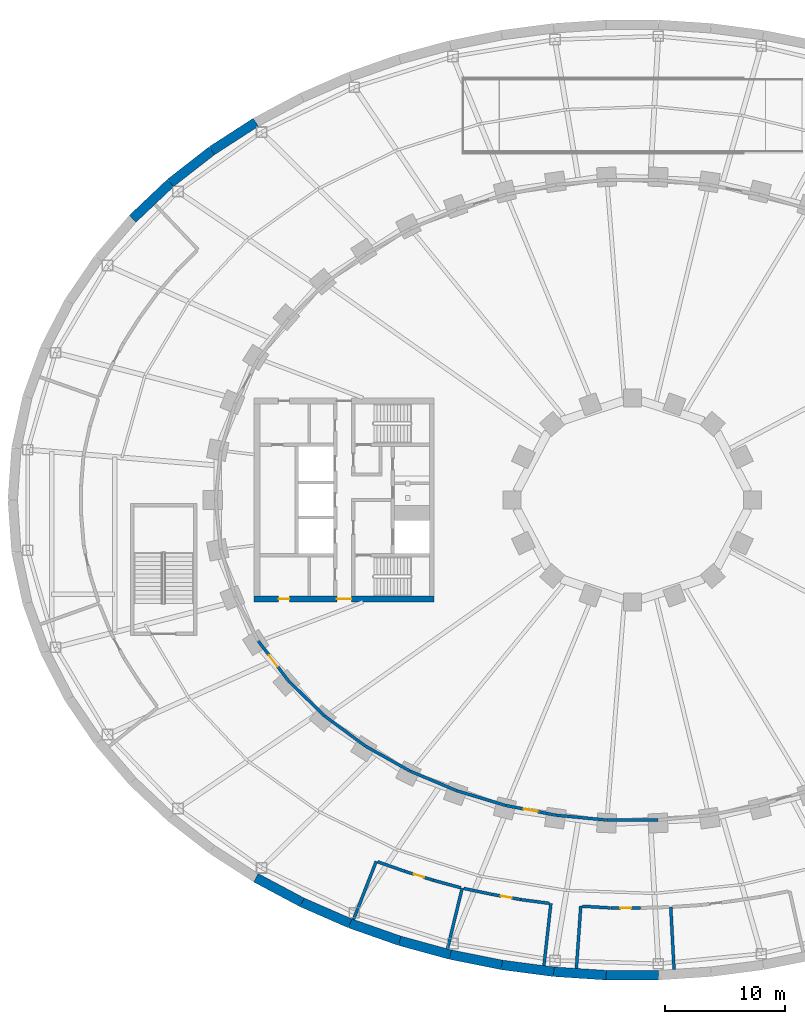
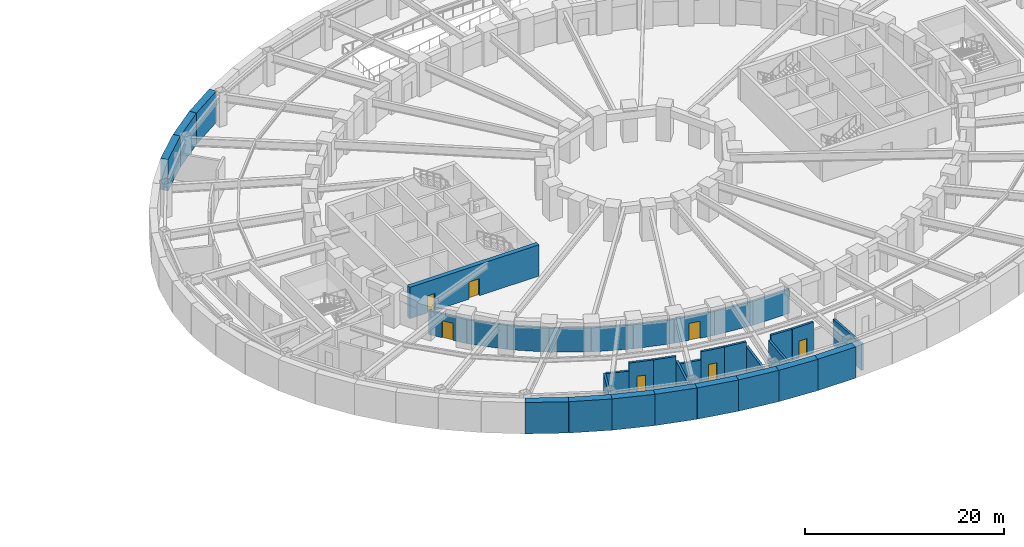
# One storey, part 17 of 32: 34 walls, 7 doors, 7 openings.
"""IFC4 building model written with IfcOpenShell, lengths in metres."""

from ifc_helpers import new_model, si_unit, direction, frame, frame_2d, origin, place, context, subcontext, project, spatial, rectangle, extrude, material, layer, layer_set, type_object, element, fill, save


model = new_model("IFC4")

# Units and contexts
model_context = context("Model", 3, precision=1e-05, world=origin(), true_north=direction((0.0, 1.0)))
body_context = subcontext(model_context, "Body", "Model", "MODEL_VIEW")
ifc_project = project(units=[si_unit("LENGTHUNIT", "METRE"), si_unit("AREAUNIT", "SQUARE_METRE"), si_unit("VOLUMEUNIT", "CUBIC_METRE"), si_unit("PLANEANGLEUNIT", "RADIAN"), si_unit("MASSUNIT", "GRAM", prefix="KILO")], contexts=[model_context])

# Site, building, storey
site_placement = place(None, origin())
site = spatial("IfcSite", under=ifc_project, at=site_placement, CompositionType="ELEMENT")
building_placement = place(site_placement, origin())
building = spatial("IfcBuilding", under=site, at=building_placement, Name="Noorbagh Ring Tower", CompositionType="ELEMENT")
storey_placement = place(building_placement, frame((0.0, 0.0, -4.199951171875)))
storey = spatial("IfcBuildingStorey", under=building, at=storey_placement, Name="B1", CompositionType="ELEMENT", Elevation=-4.199951171875)

# Wall, openings, doors
ifc_material_1 = material(Name="Concrete C70/85", Category="concrete")
ifc_layer_1 = layer(ifc_material_1, 0.5)
ifc_layer_set_1 = layer_set([ifc_layer_1], Name="Concrete C70/85")
wall_type_1 = type_object("IfcWallType", Name="CORE-WALL-500-C70-85-EI240", PredefinedType="SHEAR", material=ifc_layer_set_1)
wall_1_placement = place(storey_placement, frame((-16.5, -8.25, 0.0), z_axis=(0.0, 0.0, 1.0), x_axis=(-1.0, 0.0, 0.0)))
wall_1 = element("IfcWall", 1, at=wall_1_placement, inside=storey, type_object=wall_type_1, Name="Core wall W", PredefinedType="SHEAR", context=body_context, shape_type="SweptSolid", body=[
    extrude(rectangle(XDim=15.0, YDim=0.5, at=frame_2d((7.5, 0.0))), origin(), (0.0, 0.0, 1.0), 3.849853515625),
])
opening_1_placement = place(wall_1_placement, frame((6.89990234375, 0.0, 0.0)))
opening_1 = element("IfcOpeningElement", 2, at=opening_1_placement, cuts=wall_1, Name="Opening B1-CW10", PredefinedType="OPENING", context=body_context, shape_type="SweptSolid", body=[
    extrude(rectangle(XDim=1.199951171875, YDim=2.10009765625, at=frame_2d((0.60009765625, 1.050048828125))), frame((0.0, 0.260009765625, 0.0), z_axis=(0.0, -1.0, 0.0), x_axis=(1.0, 0.0, 0.0)), (0.0, 0.0, 1.0), 0.52001953125),
])
opening_2_placement = place(wall_1_placement, frame((12.050048828125, 0.0, 0.0)))
opening_2 = element("IfcOpeningElement", 3, at=opening_2_placement, cuts=wall_1, Name="Opening B1-CW16", PredefinedType="OPENING", context=body_context, shape_type="SweptSolid", body=[
    extrude(rectangle(XDim=0.89990234375, YDim=2.10009765625, at=frame_2d((0.449951171875, 1.050048828125))), frame((0.0, 0.260009765625, 0.0), z_axis=(0.0, -1.0, 0.0), x_axis=(1.0, 0.0, 0.0)), (0.0, 0.0, 1.0), 0.52001953125),
])
ifc_material_2 = material(Name="Steel door leaf", Category="steel")
door_type_1 = type_object("IfcDoorType", Name="CORE-DOOR-DROOM", OperationType="SINGLE_SWING_LEFT", PredefinedType="DOOR", material=ifc_material_2)
door_1_placement = place(opening_2_placement, origin())
door_1 = element("IfcDoor", 4, at=door_1_placement, inside=storey, type_object=door_type_1, Name="Core room door B1-CW16", OperationType="SINGLE_SWING_LEFT", OverallHeight=2.10009765625, OverallWidth=0.89990234375, PredefinedType="DOOR", context=body_context, shape_type="SweptSolid", body=[
    extrude(rectangle(XDim=0.89990234375, YDim=2.10009765625, at=frame_2d((0.449951171875, 1.050048828125))), frame((0.0, 0.02490234375, 0.0), z_axis=(0.0, -1.0, 0.0), x_axis=(1.0, 0.0, 0.0)), (0.0, 0.0, 1.0), 0.050048828125),
])
fill(opening_2, door_1)
ifc_material_3 = material(Name="Steel door leaf", Category="steel")
door_type_2 = type_object("IfcDoorType", Name="CORE-DOOR-PORT", OperationType="DOUBLE_DOOR_DOUBLE_SWING", PredefinedType="DOOR", material=ifc_material_3)
door_2_placement = place(opening_1_placement, origin())
door_2 = element("IfcDoor", 5, at=door_2_placement, inside=storey, type_object=door_type_2, Name="Core entrance door B1-CW10", OperationType="DOUBLE_DOOR_DOUBLE_SWING", OverallHeight=2.10009765625, OverallWidth=1.199951171875, PredefinedType="DOOR", context=body_context, shape_type="SweptSolid", body=[
    extrude(rectangle(XDim=1.199951171875, YDim=2.10009765625, at=frame_2d((0.60009765625, 1.050048828125))), frame((0.0, 0.02490234375, 0.0), z_axis=(0.0, -1.0, 0.0), x_axis=(1.0, 0.0, 0.0)), (0.0, 0.0, 1.0), 0.050048828125),
])
fill(opening_1, door_2)

# Wall
ifc_material_4 = material(Name="Concrete C40/50", Category="concrete")
ifc_layer_2 = layer(ifc_material_4, 0.25)
ifc_layer_set_2 = layer_set([ifc_layer_2], Name="Concrete C40/50")
wall_type_2 = type_object("IfcWallType", Name="GND-WALL-250", PredefinedType="SOLIDWALL", material=ifc_layer_set_2)
wall_2_placement = place(storey_placement, frame((-4.173583984375, -33.822021484375, 0.0), z_axis=(0.0, 0.0, 1.0), x_axis=(0.998203612251, -0.059912840777, 0.0)))
element("IfcWall", 6, at=wall_2_placement, inside=storey, type_object=wall_type_2, Name="Refuse store", PredefinedType="SOLIDWALL", context=body_context, shape_type="SweptSolid", body=[
    extrude(rectangle(XDim=2.367431640625, YDim=0.25, at=frame_2d((1.18359375, 0.0))), origin(), (0.0, 0.0, 1.0), 3.849853515625),
])

# Wall, opening, door
wall_3_placement = place(storey_placement, frame((-1.796142578125, -33.964111328125, 0.0), z_axis=(0.0, 0.0, 1.0), x_axis=(1.0, 0.0, 0.0)))
wall_3 = element("IfcWall", 7, at=wall_3_placement, inside=storey, type_object=wall_type_2, Name="Refuse store", PredefinedType="SOLIDWALL", context=body_context, shape_type="SweptSolid", body=[
    extrude(rectangle(XDim=2.48583984375, YDim=0.25, at=frame_2d((1.242919921875, 0.0))), origin(), (0.0, 0.0, 1.0), 3.849853515625),
])
opening_3_placement = place(wall_3_placement, frame((0.79296875, 0.0, 0.0)))
opening_3 = element("IfcOpeningElement", 8, at=opening_3_placement, cuts=wall_3, Name="Opening GD1", PredefinedType="OPENING", context=body_context, shape_type="SweptSolid", body=[
    extrude(rectangle(XDim=0.89990234375, YDim=2.10009765625, at=frame_2d((0.449951171875, 1.050048828125))), frame((0.0, 0.135009765625, 0.0), z_axis=(0.0, -1.0, 0.0), x_axis=(1.0, 0.0, 0.0)), (0.0, 0.0, 1.0), 0.27001953125),
])
ifc_material_5 = material(Name="Steel", Category="steel")
door_type_3 = type_object("IfcDoorType", Name="GND-DOOR-SVC60", OperationType="SINGLE_SWING_LEFT", PredefinedType="DOOR", material=ifc_material_5)
door_3_placement = place(opening_3_placement, origin())
door_3 = element("IfcDoor", 9, at=door_3_placement, inside=storey, type_object=door_type_3, Name="Refuse store door", OperationType="SINGLE_SWING_RIGHT", OverallHeight=2.10009765625, OverallWidth=0.89990234375, PredefinedType="DOOR", context=body_context, shape_type="SweptSolid", body=[
    extrude(rectangle(XDim=0.89990234375, YDim=2.10009765625, at=frame_2d((0.449951171875, 1.050048828125))), frame((0.0, 0.02490234375, 0.0), z_axis=(0.0, -1.0, 0.0), x_axis=(1.0, 0.0, 0.0)), (0.0, 0.0, 1.0), 0.050048828125),
])
fill(opening_3, door_3)

# Walls
for number, where, z_axis, x_axis, name in (
    (10, (-4.29833984375, -33.814453125, 0.0), (0.0, 0.0, 1.0), (-0.070142619569, -0.99753697321, 0.0), "Refuse store"),
    (11, (3.1943359375, -33.886474609375, 0.0), (0.0, 0.0, 1.0), (0.052068437351, -0.998643518895, 0.0), "Refuse store"),
):
    element("IfcWall", number, at=place(storey_placement, frame(where, z_axis=z_axis, x_axis=x_axis)), inside=storey, type_object=wall_type_2, Name=name, PredefinedType="SOLIDWALL", context=body_context, shape_type="SweptSolid", body=[
        extrude(rectangle(XDim=5.199951171875, YDim=0.25, at=frame_2d((2.60009765625, 0.0))), origin(), (0.0, 0.0, 1.0), 3.25),
    ])
wall_4_placement = place(storey_placement, frame((-21.2080078125, -30.1220703125, 0.0), z_axis=(0.0, 0.0, 1.0), x_axis=(0.943542896107, -0.33125036333, 0.0)))
element("IfcWall", 12, at=wall_4_placement, inside=storey, type_object=wall_type_2, Name="Security control room", PredefinedType="SOLIDWALL", context=body_context, shape_type="SweptSolid", body=[
    extrude(rectangle(XDim=2.3681640625, YDim=0.25, at=frame_2d((1.18408203125, 0.0))), origin(), (0.0, 0.0, 1.0), 2.849853515625),
])

# Wall, opening, door
wall_5_placement = place(storey_placement, frame((-18.96044921875, -30.910888671875, 0.0), z_axis=(0.0, 0.0, 1.0), x_axis=(0.954033057588, -0.299701393104, 0.0)))
wall_5 = element("IfcWall", 13, at=wall_5_placement, inside=storey, type_object=wall_type_2, Name="Security control room", PredefinedType="SOLIDWALL", context=body_context, shape_type="SweptSolid", body=[
    extrude(rectangle(XDim=2.484619140625, YDim=0.25, at=frame_2d((1.2421875, 0.0))), origin(), (0.0, 0.0, 1.0), 3.849853515625),
])
opening_4_placement = place(wall_5_placement, frame((0.792236328125, 0.0, 0.0)))
opening_4 = element("IfcOpeningElement", 14, at=opening_4_placement, cuts=wall_5, Name="Opening GD1", PredefinedType="OPENING", context=body_context, shape_type="SweptSolid", body=[
    extrude(rectangle(XDim=0.89990234375, YDim=2.10009765625, at=frame_2d((0.449951171875, 1.050048828125))), frame((0.0, 0.135009765625, 0.0), z_axis=(0.0, -1.0, 0.0), x_axis=(1.0, 0.0, 0.0)), (0.0, 0.0, 1.0), 0.27001953125),
])
door_4_placement = place(opening_4_placement, origin())
door_4 = element("IfcDoor", 15, at=door_4_placement, inside=storey, type_object=door_type_3, Name="Security control room door", OperationType="SINGLE_SWING_LEFT", OverallHeight=2.10009765625, OverallWidth=0.89990234375, PredefinedType="DOOR", context=body_context, shape_type="SweptSolid", body=[
    extrude(rectangle(XDim=0.89990234375, YDim=2.10009765625, at=frame_2d((0.449951171875, 1.050048828125))), frame((0.0, 0.02490234375, 0.0), z_axis=(0.0, -1.0, 0.0), x_axis=(1.0, 0.0, 0.0)), (0.0, 0.0, 1.0), 0.050048828125),
])
fill(opening_4, door_4)

# Walls
wall_6_placement = place(storey_placement, frame((-16.57666015625, -31.65966796875, 0.0), z_axis=(0.0, 0.0, 1.0), x_axis=(0.964701928263, -0.26334424164, 0.0)))
element("IfcWall", 16, at=wall_6_placement, inside=storey, type_object=wall_type_2, Name="Security control room", PredefinedType="SOLIDWALL", context=body_context, shape_type="SweptSolid", body=[
    extrude(rectangle(XDim=2.36767578125, YDim=0.25, at=frame_2d((1.183837890625, 0.0))), origin(), (0.0, 0.0, 1.0), 3.849853515625),
])
wall_7_placement = place(storey_placement, frame((-21.325927734375, -30.080810546875, 0.0), z_axis=(0.0, 0.0, 1.0), x_axis=(-0.363923086942, -0.93142900255, 0.0)))
element("IfcWall", 17, at=wall_7_placement, inside=storey, type_object=wall_type_2, Name="Security control room", PredefinedType="SOLIDWALL", context=body_context, shape_type="SweptSolid", body=[
    extrude(rectangle(XDim=5.19970703125, YDim=0.25, at=frame_2d((2.599853515625, 0.0))), origin(), (0.0, 0.0, 1.0), 2.849853515625),
])
wall_8_placement = place(storey_placement, frame((-14.171875, -32.316162109375, 0.0), z_axis=(0.0, 0.0, 1.0), x_axis=(-0.235315137247, -0.97191912533, 0.0)))
element("IfcWall", 18, at=wall_8_placement, inside=storey, type_object=wall_type_2, Name="Security control room", PredefinedType="SOLIDWALL", context=body_context, shape_type="SweptSolid", body=[
    extrude(rectangle(XDim=5.199951171875, YDim=0.25, at=frame_2d((2.60009765625, 0.0))), origin(), (0.0, 0.0, 1.0), 3.25),
])
wall_9_placement = place(storey_placement, frame((-14.04931640625, -32.341796875, 0.0), z_axis=(0.0, 0.0, 1.0), x_axis=(0.978796396416, -0.20483557885, 0.0)))
element("IfcWall", 19, at=wall_9_placement, inside=storey, type_object=wall_type_2, Name="Fire command room", PredefinedType="SOLIDWALL", context=body_context, shape_type="SweptSolid", body=[
    extrude(rectangle(XDim=2.3671875, YDim=0.25, at=frame_2d((1.18359375, 0.0))), origin(), (0.0, 0.0, 1.0), 2.849853515625),
])

# Wall, opening, door
wall_10_placement = place(storey_placement, frame((-11.718505859375, -32.829345703125, 0.0), z_axis=(0.0, 0.0, 1.0), x_axis=(0.984006391076, -0.178133158964, 0.0)))
wall_10 = element("IfcWall", 20, at=wall_10_placement, inside=storey, type_object=wall_type_2, Name="Fire command room", PredefinedType="SOLIDWALL", context=body_context, shape_type="SweptSolid", body=[
    extrude(rectangle(XDim=2.48486328125, YDim=0.25, at=frame_2d((1.242431640625, 0.0))), origin(), (0.0, 0.0, 1.0), 3.849853515625),
])
opening_5_placement = place(wall_10_placement, frame((0.79248046875, 0.0, 0.0)))
opening_5 = element("IfcOpeningElement", 21, at=opening_5_placement, cuts=wall_10, Name="Opening GD2", PredefinedType="OPENING", context=body_context, shape_type="SweptSolid", body=[
    extrude(rectangle(XDim=0.89990234375, YDim=2.10009765625, at=frame_2d((0.449951171875, 1.050048828125))), frame((0.0, 0.135009765625, 0.0), z_axis=(0.0, -1.0, 0.0), x_axis=(1.0, 0.0, 0.0)), (0.0, 0.0, 1.0), 0.27001953125),
])
ifc_material_6 = material(Name="Steel", Category="steel")
door_type_4 = type_object("IfcDoorType", Name="GND-DOOR-SVC120", OperationType="SINGLE_SWING_LEFT", PredefinedType="DOOR", material=ifc_material_6)
door_5_placement = place(opening_5_placement, origin())
door_5 = element("IfcDoor", 22, at=door_5_placement, inside=storey, type_object=door_type_4, Name="Fire command room door", OperationType="SINGLE_SWING_LEFT", OverallHeight=2.10009765625, OverallWidth=0.89990234375, PredefinedType="DOOR", context=body_context, shape_type="SweptSolid", body=[
    extrude(rectangle(XDim=0.89990234375, YDim=2.10009765625, at=frame_2d((0.449951171875, 1.050048828125))), frame((0.0, 0.02490234375, 0.0), z_axis=(0.0, -1.0, 0.0), x_axis=(1.0, 0.0, 0.0)), (0.0, 0.0, 1.0), 0.050048828125),
])
fill(opening_5, door_5)

# Walls
wall_11_placement = place(storey_placement, frame((-9.259521484375, -33.27392578125, 0.0), z_axis=(0.0, 0.0, 1.0), x_axis=(0.99143111876, -0.130630535303, 0.0)))
element("IfcWall", 23, at=wall_11_placement, inside=storey, type_object=wall_type_2, Name="Fire command room", PredefinedType="SOLIDWALL", context=body_context, shape_type="SweptSolid", body=[
    extrude(rectangle(XDim=2.367919921875, YDim=0.25, at=frame_2d((1.18408203125, 0.0))), origin(), (0.0, 0.0, 1.0), 3.849853515625),
])
wall_12_placement = place(storey_placement, frame((-6.787841796875, -33.599609375, 0.0), z_axis=(0.0, 0.0, 1.0), x_axis=(-0.111039580664, -0.993815984741, 0.0)))
element("IfcWall", 24, at=wall_12_placement, inside=storey, type_object=wall_type_2, Name="Fire command room", PredefinedType="SOLIDWALL", context=body_context, shape_type="SweptSolid", body=[
    extrude(rectangle(XDim=5.199951171875, YDim=0.25, at=frame_2d((2.60009765625, 0.0))), origin(), (0.0, 0.0, 1.0), 3.25),
])

# Wall, opening, door
ifc_material_7 = material(Name="Concrete C40/50", Category="concrete")
ifc_layer_3 = layer(ifc_material_7, 0.25)
ifc_layer_set_3 = layer_set([ifc_layer_3], Name="Concrete C40/50")
wall_type_3 = type_object("IfcWallType", Name="GND-WALL-RING", PredefinedType="SOLIDWALL", material=ifc_layer_set_3)
wall_13_placement = place(storey_placement, frame((-31.147705078125, -11.743896484375, 0.0), z_axis=(0.0, 0.0, 1.0), x_axis=(0.604041965907, -0.796952510143, 0.0)))
wall_13 = element("IfcWall", 25, at=wall_13_placement, inside=storey, type_object=wall_type_3, Name="Tower basement fire wall", PredefinedType="SOLIDWALL", context=body_context, shape_type="SweptSolid", body=[
    extrude(rectangle(XDim=4.157470703125, YDim=0.25, at=frame_2d((2.07861328125, 0.0))), origin(), (0.0, 0.0, 1.0), 2.949951171875),
])
opening_6_placement = place(wall_13_placement, frame((1.478759765625, 0.0, 0.0)))
opening_6 = element("IfcOpeningElement", 26, at=opening_6_placement, cuts=wall_13, Name="Opening GD4", PredefinedType="OPENING", context=body_context, shape_type="SweptSolid", body=[
    extrude(rectangle(XDim=1.199951171875, YDim=2.10009765625, at=frame_2d((0.60009765625, 1.050048828125))), frame((0.0, 0.135009765625, 0.0), z_axis=(0.0, -1.0, 0.0), x_axis=(1.0, 0.0, 0.0)), (0.0, 0.0, 1.0), 0.27001953125),
])
ifc_material_8 = material(Name="Steel", Category="steel")
door_type_5 = type_object("IfcDoorType", Name="GND-DOOR-RING", OperationType="DOUBLE_DOOR_SINGLE_SWING", PredefinedType="DOOR", material=ifc_material_8)
door_6_placement = place(opening_6_placement, origin())
door_6 = element("IfcDoor", 27, at=door_6_placement, inside=storey, type_object=door_type_5, Name="Tower basement door", OperationType="DOUBLE_DOOR_SINGLE_SWING", OverallHeight=2.10009765625, OverallWidth=1.199951171875, PredefinedType="DOOR", context=body_context, shape_type="SweptSolid", body=[
    extrude(rectangle(XDim=1.199951171875, YDim=2.10009765625, at=frame_2d((0.60009765625, 1.050048828125))), frame((0.0, 0.02490234375, 0.0), z_axis=(0.0, -1.0, 0.0), x_axis=(1.0, 0.0, 0.0)), (0.0, 0.0, 1.0), 0.050048828125),
])
fill(opening_6, door_6)

# Walls
wall_14_placement = place(storey_placement, frame((-28.62451171875, -15.07080078125, 0.0), z_axis=(0.0, 0.0, 1.0), x_axis=(0.717227656803, -0.696838925661, 0.0)))
element("IfcWall", 28, at=wall_14_placement, inside=storey, type_object=wall_type_3, Name="Tower basement fire wall", PredefinedType="SOLIDWALL", context=body_context, shape_type="SweptSolid", body=[
    extrude(rectangle(XDim=4.178955078125, YDim=0.25, at=frame_2d((2.08935546875, 0.0))), origin(), (0.0, 0.0, 1.0), 2.949951171875),
])
wall_15_placement = place(storey_placement, frame((-25.613525390625, -17.994384765625, 0.0), z_axis=(0.0, 0.0, 1.0), x_axis=(0.805155221937, -0.593064135306, 0.0)))
element("IfcWall", 29, at=wall_15_placement, inside=storey, type_object=wall_type_3, Name="Tower basement fire wall", PredefinedType="SOLIDWALL", context=body_context, shape_type="SweptSolid", body=[
    extrude(rectangle(XDim=4.197998046875, YDim=0.25, at=frame_2d((2.09912109375, 0.0))), origin(), (0.0, 0.0, 1.0), 2.949951171875),
])
wall_16_placement = place(storey_placement, frame((-22.218505859375, -20.493896484375, 0.0), z_axis=(0.0, 0.0, 1.0), x_axis=(0.872061015455, -0.489397165218, 0.0)))
element("IfcWall", 30, at=wall_16_placement, inside=storey, type_object=wall_type_3, Name="Tower basement fire wall", PredefinedType="SOLIDWALL", context=body_context, shape_type="SweptSolid", body=[
    extrude(rectangle(XDim=4.21337890625, YDim=0.25, at=frame_2d((2.106689453125, 0.0))), origin(), (0.0, 0.0, 1.0), 2.949951171875),
])
wall_17_placement = place(storey_placement, frame((-18.528076171875, -22.56396484375, 0.0), z_axis=(0.0, 0.0, 1.0), x_axis=(0.921810386469, -0.387641085798, 0.0)))
element("IfcWall", 31, at=wall_17_placement, inside=storey, type_object=wall_type_3, Name="Tower basement fire wall", PredefinedType="SOLIDWALL", context=body_context, shape_type="SweptSolid", body=[
    extrude(rectangle(XDim=4.225341796875, YDim=0.25, at=frame_2d((2.11279296875, 0.0))), origin(), (0.0, 0.0, 1.0), 2.949951171875),
])
wall_18_placement = place(storey_placement, frame((-14.6162109375, -24.2080078125, 0.0), z_axis=(0.0, 0.0, 1.0), x_axis=(0.957589494621, -0.28813600919, 0.0)))
element("IfcWall", 32, at=wall_18_placement, inside=storey, type_object=wall_type_3, Name="Tower basement fire wall", PredefinedType="SOLIDWALL", context=body_context, shape_type="SweptSolid", body=[
    extrude(rectangle(XDim=4.234130859375, YDim=0.25, at=frame_2d((2.1171875, 0.0))), origin(), (0.0, 0.0, 1.0), 2.949951171875),
])

# Wall, opening, door
wall_19_placement = place(storey_placement, frame((-10.544189453125, -25.432373046875, 0.0), z_axis=(0.0, 0.0, 1.0), x_axis=(0.981622881166, -0.190831127365, 0.0)))
wall_19 = element("IfcWall", 33, at=wall_19_placement, inside=storey, type_object=wall_type_3, Name="Tower basement fire wall", PredefinedType="SOLIDWALL", context=body_context, shape_type="SweptSolid", body=[
    extrude(rectangle(XDim=4.23974609375, YDim=0.25, at=frame_2d((2.119873046875, 0.0))), origin(), (0.0, 0.0, 1.0), 2.949951171875),
])
opening_7_placement = place(wall_19_placement, frame((1.52001953125, 0.0, 0.0)))
opening_7 = element("IfcOpeningElement", 34, at=opening_7_placement, cuts=wall_19, Name="Opening GD4", PredefinedType="OPENING", context=body_context, shape_type="SweptSolid", body=[
    extrude(rectangle(XDim=1.199951171875, YDim=2.10009765625, at=frame_2d((0.60009765625, 1.050048828125))), frame((0.0, 0.135009765625, 0.0), z_axis=(0.0, -1.0, 0.0), x_axis=(1.0, 0.0, 0.0)), (0.0, 0.0, 1.0), 0.27001953125),
])
door_7_placement = place(opening_7_placement, origin())
door_7 = element("IfcDoor", 35, at=door_7_placement, inside=storey, type_object=door_type_5, Name="Tower basement door", OperationType="DOUBLE_DOOR_SINGLE_SWING", OverallHeight=2.10009765625, OverallWidth=1.199951171875, PredefinedType="DOOR", context=body_context, shape_type="SweptSolid", body=[
    extrude(rectangle(XDim=1.199951171875, YDim=2.10009765625, at=frame_2d((0.60009765625, 1.050048828125))), frame((0.0, 0.02490234375, 0.0), z_axis=(0.0, -1.0, 0.0), x_axis=(1.0, 0.0, 0.0)), (0.0, 0.0, 1.0), 0.050048828125),
])
fill(opening_7, door_7)

# Walls
wall_20_placement = place(storey_placement, frame((-6.364501953125, -26.243896484375, 0.0), z_axis=(0.0, 0.0, 1.0), x_axis=(0.995473208191, -0.09504257874, 0.0)))
element("IfcWall", 36, at=wall_20_placement, inside=storey, type_object=wall_type_3, Name="Tower basement fire wall", PredefinedType="SOLIDWALL", context=body_context, shape_type="SweptSolid", body=[
    extrude(rectangle(XDim=4.24365234375, YDim=0.25, at=frame_2d((2.121826171875, 0.0))), origin(), (0.0, 0.0, 1.0), 2.949951171875),
])
wall_21_placement = place(storey_placement, frame((-2.122314453125, -26.64794921875, 0.0), z_axis=(0.0, 0.0, 1.0), x_axis=(1.0, 0.0, 0.0)))
element("IfcWall", 37, at=wall_21_placement, inside=storey, type_object=wall_type_3, Name="Tower basement fire wall", PredefinedType="SOLIDWALL", context=body_context, shape_type="SweptSolid", body=[
    extrude(rectangle(XDim=4.24462890625, YDim=0.25, at=frame_2d((2.122314453125, 0.0))), origin(), (0.0, 0.0, 1.0), 2.949951171875),
])
ifc_material_9 = material(Name="Concrete C40/50", Category="concrete")
ifc_layer_4 = layer(ifc_material_9, 0.800048828125)
ifc_layer_set_4 = layer_set([ifc_layer_4], Name="Concrete C40/50")
wall_type_4 = type_object("IfcWallType", Name="STR-RETAINING-WALL", PredefinedType="SOLIDWALL", material=ifc_layer_set_4)
wall_22_placement = place(storey_placement, frame((-31.3515625, 31.448486328125, 0.0), z_axis=(0.0, 0.0, 1.0), x_axis=(-0.840047348843, -0.542513088969, 0.0)))
element("IfcWall", 38, at=wall_22_placement, inside=storey, type_object=wall_type_4, Name="B1/retwall/25", PredefinedType="SOLIDWALL", context=body_context, shape_type="SweptSolid", body=[
    extrude(rectangle(XDim=4.362060546875, YDim=0.800048828125, at=frame_2d((2.18115234375, 0.0))), origin(), (0.0, 0.0, 1.0), 3.849853515625),
])
wall_23_placement = place(storey_placement, frame((-35.015869140625, 29.08203125, 0.0), z_axis=(0.0, 0.0, 1.0), x_axis=(-0.788491985196, -0.615045030288, 0.0)))
element("IfcWall", 39, at=wall_23_placement, inside=storey, type_object=wall_type_4, Name="B1/retwall/26", PredefinedType="SOLIDWALL", context=body_context, shape_type="SweptSolid", body=[
    extrude(rectangle(XDim=4.359375, YDim=0.800048828125, at=frame_2d((2.1796875, 0.0))), origin(), (0.0, 0.0, 1.0), 3.849853515625),
])
wall_24_placement = place(storey_placement, frame((-38.453125, 26.40087890625, 0.0), z_axis=(0.0, 0.0, 1.0), x_axis=(-0.72620446032, -0.687478786444, 0.0)))
element("IfcWall", 40, at=wall_24_placement, inside=storey, type_object=wall_type_4, Name="B1/retwall/27", PredefinedType="SOLIDWALL", context=body_context, shape_type="SweptSolid", body=[
    extrude(rectangle(XDim=4.356201171875, YDim=0.800048828125, at=frame_2d((2.17822265625, 0.0))), origin(), (0.0, 0.0, 1.0), 3.849853515625),
])
wall_25_placement = place(storey_placement, frame((-31.3515625, -31.448486328125, 0.0), z_axis=(0.0, 0.0, 1.0), x_axis=(0.882159305704, -0.47095112205, 0.0)))
element("IfcWall", 41, at=wall_25_placement, inside=storey, type_object=wall_type_4, Name="B1/retwall/43", PredefinedType="SOLIDWALL", context=body_context, shape_type="SweptSolid", body=[
    extrude(rectangle(XDim=4.364501953125, YDim=0.800048828125, at=frame_2d((2.18212890625, 0.0))), origin(), (0.0, 0.0, 1.0), 3.849853515625),
])
wall_26_placement = place(storey_placement, frame((-27.50146484375, -33.50390625, 0.0), z_axis=(0.0, 0.0, 1.0), x_axis=(0.916336904548, -0.400408138483, 0.0)))
element("IfcWall", 42, at=wall_26_placement, inside=storey, type_object=wall_type_4, Name="B1/retwall/44", PredefinedType="SOLIDWALL", context=body_context, shape_type="SweptSolid", body=[
    extrude(rectangle(XDim=4.3662109375, YDim=0.800048828125, at=frame_2d((2.18310546875, 0.0))), origin(), (0.0, 0.0, 1.0), 3.849853515625),
])
wall_27_placement = place(storey_placement, frame((-23.50048828125, -35.252197265625, 0.0), z_axis=(0.0, 0.0, 1.0), x_axis=(0.943526738033, -0.331296384853, 0.0)))
element("IfcWall", 43, at=wall_27_placement, inside=storey, type_object=wall_type_4, Name="B1/retwall/45", PredefinedType="SOLIDWALL", context=body_context, shape_type="SweptSolid", body=[
    extrude(rectangle(XDim=4.36767578125, YDim=0.800048828125, at=frame_2d((2.183837890625, 0.0))), origin(), (0.0, 0.0, 1.0), 3.849853515625),
])
wall_28_placement = place(storey_placement, frame((-19.37939453125, -36.69921875, 0.0), z_axis=(0.0, 0.0, 1.0), x_axis=(0.964679950239, -0.263424739931, 0.0)))
element("IfcWall", 44, at=wall_28_placement, inside=storey, type_object=wall_type_4, Name="B1/retwall/46", PredefinedType="SOLIDWALL", context=body_context, shape_type="SweptSolid", body=[
    extrude(rectangle(XDim=4.368896484375, YDim=0.800048828125, at=frame_2d((2.1845703125, 0.0))), origin(), (0.0, 0.0, 1.0), 3.849853515625),
])
wall_29_placement = place(storey_placement, frame((-15.164794921875, -37.85009765625, 0.0), z_axis=(0.0, 0.0, 1.0), x_axis=(0.980494629762, -0.196545875071, 0.0)))
element("IfcWall", 45, at=wall_29_placement, inside=storey, type_object=wall_type_4, Name="B1/retwall/47", PredefinedType="SOLIDWALL", context=body_context, shape_type="SweptSolid", body=[
    extrude(rectangle(XDim=4.369873046875, YDim=0.800048828125, at=frame_2d((2.18505859375, 0.0))), origin(), (0.0, 0.0, 1.0), 3.849853515625),
])
wall_30_placement = place(storey_placement, frame((-10.880126953125, -38.708984375, 0.0), z_axis=(0.0, 0.0, 1.0), x_axis=(0.991441741932, -0.130549884544, 0.0)))
element("IfcWall", 46, at=wall_30_placement, inside=storey, type_object=wall_type_4, Name="B1/retwall/48", PredefinedType="SOLIDWALL", context=body_context, shape_type="SweptSolid", body=[
    extrude(rectangle(XDim=4.370361328125, YDim=0.800048828125, at=frame_2d((2.18505859375, 0.0))), origin(), (0.0, 0.0, 1.0), 3.849853515625),
])
wall_31_placement = place(storey_placement, frame((-6.547119140625, -39.279541015625, 0.0), z_axis=(0.0, 0.0, 1.0), x_axis=(0.997876871627, -0.065128711577, 0.0)))
element("IfcWall", 47, at=wall_31_placement, inside=storey, type_object=wall_type_4, Name="B1/retwall/49", PredefinedType="SOLIDWALL", context=body_context, shape_type="SweptSolid", body=[
    extrude(rectangle(XDim=4.370849609375, YDim=0.800048828125, at=frame_2d((2.185546875, 0.0))), origin(), (0.0, 0.0, 1.0), 3.849853515625),
])
wall_32_placement = place(storey_placement, frame((-2.185546875, -39.564208984375, 0.0), z_axis=(0.0, 0.0, 1.0), x_axis=(1.0, 0.0, 0.0)))
element("IfcWall", 48, at=wall_32_placement, inside=storey, type_object=wall_type_4, Name="B1/retwall/50", PredefinedType="SOLIDWALL", context=body_context, shape_type="SweptSolid", body=[
    extrude(rectangle(XDim=4.37109375, YDim=0.800048828125, at=frame_2d((2.185546875, 0.0))), origin(), (0.0, 0.0, 1.0), 3.849853515625),
])

save(model, "model.ifc")
